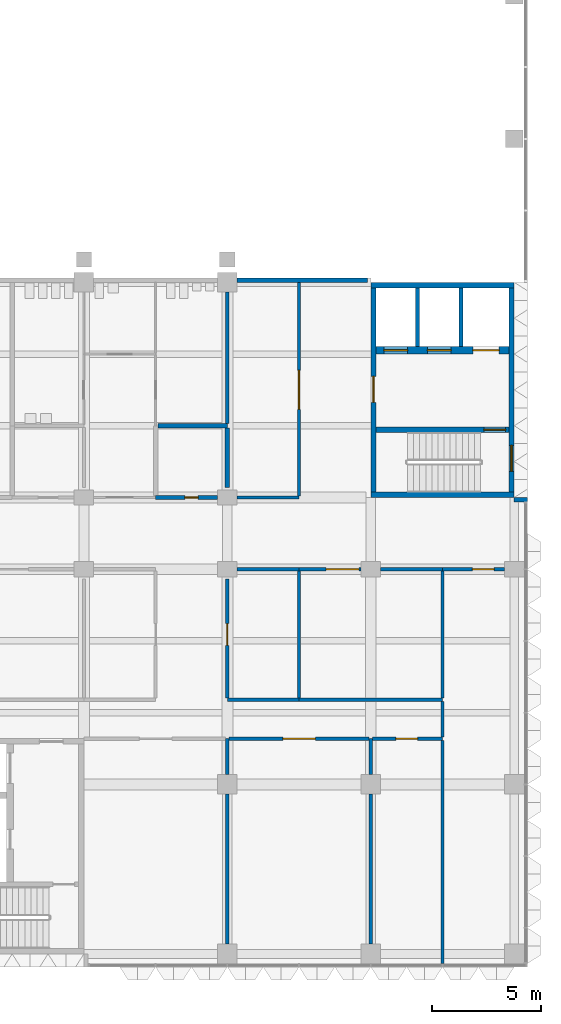
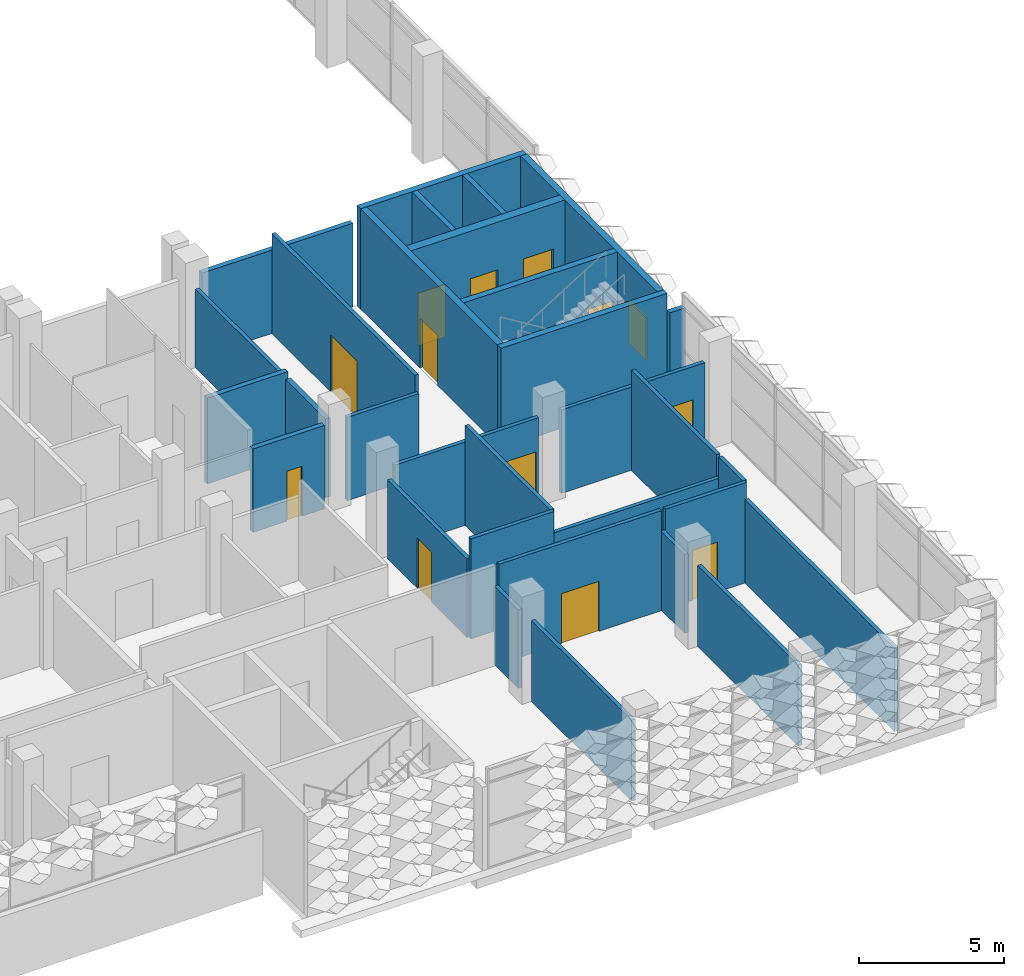
# One storey, part 46 of 102: 33 walls, 12 doors, 1 window, 13 openings.
"""IFC4 building model written with IfcOpenShell, lengths in metres."""

from ifc_helpers import new_model, si_unit, direction, frame, frame_2d, origin, place, context, subcontext, project, spatial, rectangle, extrude, material, layer, layer_set, type_object, element, fill, save


model = new_model("IFC4")

# Units and contexts
model_context = context("Model", 3, precision=1e-05, world=origin(), true_north=direction((0.0, 1.0)))
body_context = subcontext(model_context, "Body", "Model", "MODEL_VIEW")
ifc_project = project(units=[si_unit("LENGTHUNIT", "METRE"), si_unit("AREAUNIT", "SQUARE_METRE"), si_unit("VOLUMEUNIT", "CUBIC_METRE"), si_unit("PLANEANGLEUNIT", "RADIAN"), si_unit("MASSUNIT", "GRAM", prefix="KILO")], contexts=[model_context])

# Site, building, storey
site_placement = place(None, origin())
site = spatial("IfcSite", under=ifc_project, at=site_placement, CompositionType="ELEMENT")
building_placement = place(site_placement, origin())
building = spatial("IfcBuilding", under=site, at=building_placement, Name="Lantern Court Research Institute", CompositionType="ELEMENT")
storey_placement = place(building_placement, frame((0.0, 0.0, 9.89990234375)))
storey = spatial("IfcBuildingStorey", under=building, at=storey_placement, Name="L02", CompositionType="ELEMENT", Elevation=9.89990234375)

# Wall, opening, door
ifc_material_1 = material(Name="Fire-rated gypsum board partition, mineral wool filled")
ifc_layer_1 = layer(ifc_material_1, 0.199951171875)
ifc_layer_set_1 = layer_set([ifc_layer_1], Name="Fire-rated gypsum board partition, mineral wool filled")
wall_type_1 = type_object("IfcWallType", Name="Compartment wall 200 EI 120", PredefinedType="PARTITIONING", material=ifc_layer_set_1)
wall_1_placement = place(storey_placement, frame((62.699951171875, 13.199951171875, 0.0), z_axis=(0.0, 0.0, 1.0), x_axis=(1.0, 0.0, 0.0)))
wall_1 = element("IfcWall", 1, at=wall_1_placement, inside=storey, type_object=wall_type_1, Name="Compartment wall 200 EI 120", PredefinedType="PARTITIONING", context=body_context, shape_type="SweptSolid", body=[
    extrude(rectangle(XDim=2.85009765625, YDim=0.199951171875, at=frame_2d((1.425048828125, 0.0))), origin(), (0.0, 0.0, 1.0), 3.5),
])
opening_1_placement = place(wall_1_placement, frame((1.35009765625, 0.0, 0.0)))
opening_1 = element("IfcOpeningElement", 2, at=opening_1_placement, cuts=wall_1, Name="Opening D5206", PredefinedType="OPENING", context=body_context, shape_type="SweptSolid", body=[
    extrude(rectangle(XDim=0.60009765625, YDim=2.10009765625, at=frame_2d((0.300048828125, 1.050048828125))), frame((0.0, 0.10986328125, 0.0), z_axis=(0.0, -1.0, 0.0), x_axis=(1.0, 0.0, 0.0)), (0.0, 0.0, 1.0), 0.219970703125),
])
ifc_material_2 = material(Name="Solid-core timber door leaf", Category="wood")
ifc_layer_2 = layer(ifc_material_2, 0.06005859375)
ifc_layer_set_2 = layer_set([ifc_layer_2], Name="Solid-core timber door leaf")
door_type_1 = type_object("IfcDoorType", Name="Service riser door 600 x 2100 single FD60", OperationType="NOTDEFINED", PredefinedType="DOOR", material=ifc_layer_set_2)
door_1_placement = place(opening_1_placement, origin())
door_1 = element("IfcDoor", 3, at=door_1_placement, inside=storey, type_object=door_type_1, Name="Door D5206", OperationType="SINGLE_SWING_RIGHT", OverallHeight=2.10009765625, OverallWidth=0.60009765625, PredefinedType="DOOR", context=body_context, shape_type="SweptSolid", body=[
    extrude(rectangle(XDim=0.60009765625, YDim=2.10009765625, at=frame_2d((0.300048828125, 1.050048828125))), frame((0.0, 0.030029296875, 0.0), z_axis=(0.0, -1.0, 0.0), x_axis=(1.0, 0.0, 0.0)), (0.0, 0.0, 1.0), 0.06005859375),
])
fill(opening_1, door_1)

# Walls
wall_2_placement = place(storey_placement, frame((66.0, 16.5, 0.0), z_axis=(0.0, 0.0, 1.0), x_axis=(-1.0, 0.0, 0.0)))
element("IfcWall", 4, at=wall_2_placement, inside=storey, type_object=wall_type_1, Name="Compartment wall 200 EI 120", PredefinedType="PARTITIONING", context=body_context, shape_type="SweptSolid", body=[
    extrude(rectangle(XDim=3.199951171875, YDim=0.199951171875, at=frame_2d((1.60009765625, 0.0))), origin(), (0.0, 0.0, 1.0), 3.60009765625),
])
wall_3_placement = place(storey_placement, frame((66.0, 13.64990234375, 0.0), z_axis=(0.0, 0.0, 1.0), x_axis=(0.0, 1.0, 0.0)))
element("IfcWall", 5, at=wall_3_placement, inside=storey, type_object=wall_type_1, Name="Compartment wall 200 EI 120", PredefinedType="PARTITIONING", context=body_context, shape_type="SweptSolid", body=[
    extrude(rectangle(XDim=2.75, YDim=0.199951171875, at=frame_2d((1.375, 0.0))), origin(), (0.0, 0.0, 1.0), 3.300048828125),
])
ifc_material_3 = material(Name="Fire-rated gypsum board partition, mineral wool filled")
ifc_layer_3 = layer(ifc_material_3, 0.14990234375)
ifc_layer_set_3 = layer_set([ifc_layer_3], Name="Fire-rated gypsum board partition, mineral wool filled")
wall_type_2 = type_object("IfcWallType", Name="Laboratory partition 150 EI 60", PredefinedType="PARTITIONING", material=ifc_layer_set_3)
for number, where, z_axis, x_axis, name in (
    (6, (69.300048828125, 13.199951171875, 0.0), (0.0, 0.0, 1.0), (-1.0, 0.0, 0.0), "Laboratory partition 150 EI 60"),
    (7, (66.449951171875, 9.89990234375, 0.0), (0.0, 0.0, 1.0), (1.0, 0.0, 0.0), "Laboratory partition 150 EI 60"),
):
    element("IfcWall", number, at=place(storey_placement, frame(where, z_axis=z_axis, x_axis=x_axis)), inside=storey, type_object=wall_type_2, Name=name, PredefinedType="PARTITIONING", context=body_context, shape_type="SweptSolid", body=[
        extrude(rectangle(XDim=2.85009765625, YDim=0.14990234375, at=frame_2d((1.425048828125, 0.0))), origin(), (0.0, 0.0, 1.0), 3.5),
    ])

# Wall, opening, door
wall_4_placement = place(storey_placement, frame((69.300048828125, 9.89990234375, 0.0), z_axis=(0.0, 0.0, 1.0), x_axis=(1.0, 0.0, 0.0)))
wall_4 = element("IfcWall", 8, at=wall_4_placement, inside=storey, type_object=wall_type_2, Name="Laboratory partition 150 EI 60", PredefinedType="PARTITIONING", context=body_context, shape_type="SweptSolid", body=[
    extrude(rectangle(XDim=2.849853515625, YDim=0.14990234375, at=frame_2d((1.4248046875, 0.0))), origin(), (0.0, 0.0, 1.0), 3.5),
])
opening_2_placement = place(wall_4_placement, frame((1.25, 0.0, 0.0)))
opening_2 = element("IfcOpeningElement", 9, at=opening_2_placement, cuts=wall_4, Name="Opening D5215", PredefinedType="OPENING", context=body_context, shape_type="SweptSolid", body=[
    extrude(rectangle(XDim=1.5, YDim=2.10009765625, at=frame_2d((0.75, 1.050048828125))), frame((0.0, 0.0849609375, 0.0), z_axis=(0.0, -1.0, 0.0), x_axis=(1.0, 0.0, 0.0)), (0.0, 0.0, 1.0), 0.169921875),
])
ifc_material_4 = material(Name="Solid-core timber door leaf with vision panel", Category="wood")
ifc_layer_4 = layer(ifc_material_4, 0.053955078125)
ifc_layer_set_4 = layer_set([ifc_layer_4], Name="Solid-core timber door leaf with vision panel")
door_type_2 = type_object("IfcDoorType", Name="Laboratory double door 1500 x 2100 pair FD30S", OperationType="DOUBLE_DOOR_SINGLE_SWING", PredefinedType="DOOR", material=ifc_layer_set_4)
door_2_placement = place(opening_2_placement, origin())
door_2 = element("IfcDoor", 10, at=door_2_placement, inside=storey, type_object=door_type_2, Name="Door D5215", OperationType="DOUBLE_DOOR_SINGLE_SWING", OverallHeight=2.10009765625, OverallWidth=1.5, PredefinedType="DOOR", context=body_context, shape_type="SweptSolid", body=[
    extrude(rectangle(XDim=1.5, YDim=2.10009765625, at=frame_2d((0.75, 1.050048828125))), frame((0.0, 0.02685546875, 0.0), z_axis=(0.0, -1.0, 0.0), x_axis=(1.0, 0.0, 0.0)), (0.0, 0.0, 1.0), 0.053955078125),
])
fill(opening_2, door_2)

# Wall
wall_5_placement = place(storey_placement, frame((73.050048828125, 9.89990234375, 0.0), z_axis=(0.0, 0.0, 1.0), x_axis=(1.0, 0.0, 0.0)))
element("IfcWall", 11, at=wall_5_placement, inside=storey, type_object=wall_type_2, Name="Laboratory partition 150 EI 60", PredefinedType="PARTITIONING", context=body_context, shape_type="SweptSolid", body=[
    extrude(rectangle(XDim=2.849853515625, YDim=0.14990234375, at=frame_2d((1.4248046875, 0.0))), origin(), (0.0, 0.0, 1.0), 3.5),
])

# Wall, opening, door
wall_6_placement = place(storey_placement, frame((75.89990234375, 9.89990234375, 0.0), z_axis=(0.0, 0.0, 1.0), x_axis=(1.0, 0.0, 0.0)))
wall_6 = element("IfcWall", 12, at=wall_6_placement, inside=storey, type_object=wall_type_2, Name="Laboratory partition 150 EI 60", PredefinedType="PARTITIONING", context=body_context, shape_type="SweptSolid", body=[
    extrude(rectangle(XDim=2.85009765625, YDim=0.14990234375, at=frame_2d((1.425048828125, 0.0))), origin(), (0.0, 0.0, 1.0), 3.5),
])
opening_3_placement = place(wall_6_placement, frame((1.375, 0.0, 0.0)))
opening_3 = element("IfcOpeningElement", 13, at=opening_3_placement, cuts=wall_6, Name="Opening D5216", PredefinedType="OPENING", context=body_context, shape_type="SweptSolid", body=[
    extrude(rectangle(XDim=1.0, YDim=2.10009765625, at=frame_2d((0.5, 1.050048828125))), frame((0.0, 0.0849609375, 0.0), z_axis=(0.0, -1.0, 0.0), x_axis=(1.0, 0.0, 0.0)), (0.0, 0.0, 1.0), 0.169921875),
])
ifc_material_5 = material(Name="Solid-core timber door leaf with vision panel", Category="wood")
ifc_layer_5 = layer(ifc_material_5, 0.053955078125)
ifc_layer_set_5 = layer_set([ifc_layer_5], Name="Solid-core timber door leaf with vision panel")
door_type_3 = type_object("IfcDoorType", Name="Laboratory door 1000 x 2100 single FD30S", OperationType="NOTDEFINED", PredefinedType="DOOR", material=ifc_layer_set_5)
door_3_placement = place(opening_3_placement, origin())
door_3 = element("IfcDoor", 14, at=door_3_placement, inside=storey, type_object=door_type_3, Name="Door D5216", OperationType="SINGLE_SWING_LEFT", OverallHeight=2.10009765625, OverallWidth=1.0, PredefinedType="DOOR", context=body_context, shape_type="SweptSolid", body=[
    extrude(rectangle(XDim=1.0, YDim=2.10009765625, at=frame_2d((0.5, 1.050048828125))), frame((0.0, 0.02685546875, 0.0), z_axis=(0.0, -1.0, 0.0), x_axis=(1.0, 0.0, 0.0)), (0.0, 0.0, 1.0), 0.053955078125),
])
fill(opening_3, door_3)

# Wall
wall_7_placement = place(storey_placement, frame((66.0, 16.60009765625, 0.0), z_axis=(0.0, 0.0, 1.0), x_axis=(0.0, 1.0, 0.0)))
element("IfcWall", 15, at=wall_7_placement, inside=storey, type_object=wall_type_2, Name="Laboratory partition 150 EI 60", PredefinedType="PARTITIONING", context=body_context, shape_type="SweptSolid", body=[
    extrude(rectangle(XDim=6.0498046875, YDim=0.14990234375, at=frame_2d((3.02490234375, 0.0))), origin(), (0.0, 0.0, 1.0), 3.300048828125),
])

# Wall, opening, door
wall_8_placement = place(storey_placement, frame((69.300048828125, 23.10009765625, 0.0), z_axis=(0.0, 0.0, 1.0), x_axis=(0.0, -1.0, 0.0)))
wall_8 = element("IfcWall", 16, at=wall_8_placement, inside=storey, type_object=wall_type_2, Name="Laboratory partition 150 EI 60", PredefinedType="PARTITIONING", context=body_context, shape_type="SweptSolid", body=[
    extrude(rectangle(XDim=9.8251953125, YDim=0.14990234375, at=frame_2d((4.91259765625, 0.0))), origin(), (0.0, 0.0, 1.0), 4.2001953125),
])
opening_4_placement = place(wall_8_placement, frame((4.050048828125, 0.0, 0.0)))
opening_4 = element("IfcOpeningElement", 17, at=opening_4_placement, cuts=wall_8, Name="Opening D5208", PredefinedType="OPENING", context=body_context, shape_type="SweptSolid", body=[
    extrude(rectangle(XDim=1.800048828125, YDim=2.39990234375, at=frame_2d((0.89990234375, 1.199951171875))), frame((0.0, 0.0849609375, 0.0), z_axis=(0.0, -1.0, 0.0), x_axis=(1.0, 0.0, 0.0)), (0.0, 0.0, 1.0), 0.169921875),
])
ifc_material_6 = material(Name="Solid-core timber door leaf with vision panel", Category="wood")
ifc_layer_6 = layer(ifc_material_6, 0.053955078125)
ifc_layer_set_6 = layer_set([ifc_layer_6], Name="Solid-core timber door leaf with vision panel")
door_type_4 = type_object("IfcDoorType", Name="Laboratory equipment door 1800 x 2400 pair FD30S", OperationType="DOUBLE_DOOR_SINGLE_SWING", PredefinedType="DOOR", material=ifc_layer_set_6)
door_4_placement = place(opening_4_placement, origin())
door_4 = element("IfcDoor", 18, at=door_4_placement, inside=storey, type_object=door_type_4, Name="Door D5208", OperationType="DOUBLE_DOOR_SINGLE_SWING", OverallHeight=2.39990234375, OverallWidth=1.800048828125, PredefinedType="DOOR", context=body_context, shape_type="SweptSolid", body=[
    extrude(rectangle(XDim=1.800048828125, YDim=2.39990234375, at=frame_2d((0.89990234375, 1.199951171875))), frame((0.0, 0.02685546875, 0.0), z_axis=(0.0, -1.0, 0.0), x_axis=(1.0, 0.0, 0.0)), (0.0, 0.0, 1.0), 0.053955078125),
])
fill(opening_4, door_4)

# Walls
wall_9_placement = place(storey_placement, frame((66.0, -7.35009765625, 0.0), z_axis=(0.0, 0.0, 1.0), x_axis=(0.0, 1.0, 0.0)))
element("IfcWall", 19, at=wall_9_placement, inside=storey, type_object=wall_type_2, Name="Laboratory partition 150 EI 60", PredefinedType="PARTITIONING", context=body_context, shape_type="SweptSolid", body=[
    extrude(rectangle(XDim=6.900146484375, YDim=0.14990234375, at=frame_2d((3.4501953125, 0.0))), origin(), (0.0, 0.0, 1.0), 3.400146484375),
])
wall_10_placement = place(storey_placement, frame((66.0, 0.449951171875, 0.0), z_axis=(0.0, 0.0, 1.0), x_axis=(0.0, 1.0, 0.0)))
element("IfcWall", 20, at=wall_10_placement, inside=storey, type_object=wall_type_2, Name="Laboratory partition 150 EI 60", PredefinedType="PARTITIONING", context=body_context, shape_type="SweptSolid", body=[
    extrude(rectangle(XDim=1.650146484375, YDim=0.14990234375, at=frame_2d((0.8251953125, 0.0))), origin(), (0.0, 0.0, 1.0), 3.300048828125),
])
wall_11_placement = place(storey_placement, frame((72.60009765625, -7.35009765625, 0.0), z_axis=(0.0, 0.0, 1.0), x_axis=(0.0, 1.0, 0.0)))
element("IfcWall", 21, at=wall_11_placement, inside=storey, type_object=wall_type_2, Name="Laboratory partition 150 EI 60", PredefinedType="PARTITIONING", context=body_context, shape_type="SweptSolid", body=[
    extrude(rectangle(XDim=6.900146484375, YDim=0.14990234375, at=frame_2d((3.4501953125, 0.0))), origin(), (0.0, 0.0, 1.0), 3.400146484375),
])
wall_12_placement = place(storey_placement, frame((72.60009765625, 0.449951171875, 0.0), z_axis=(0.0, 0.0, 1.0), x_axis=(0.0, 1.0, 0.0)))
element("IfcWall", 22, at=wall_12_placement, inside=storey, type_object=wall_type_2, Name="Laboratory partition 150 EI 60", PredefinedType="PARTITIONING", context=body_context, shape_type="SweptSolid", body=[
    extrude(rectangle(XDim=1.650146484375, YDim=0.14990234375, at=frame_2d((0.8251953125, 0.0))), origin(), (0.0, 0.0, 1.0), 3.300048828125),
])

# Wall, opening, door
wall_13_placement = place(storey_placement, frame((72.52490234375, 2.10009765625, 0.0), z_axis=(0.0, 0.0, 1.0), x_axis=(-1.0, 0.0, 0.0)))
wall_13 = element("IfcWall", 23, at=wall_13_placement, inside=storey, type_object=wall_type_2, Name="Laboratory partition 150 EI 60", PredefinedType="PARTITIONING", context=body_context, shape_type="SweptSolid", body=[
    extrude(rectangle(XDim=6.449951171875, YDim=0.14990234375, at=frame_2d((3.22509765625, 0.0))), origin(), (0.0, 0.0, 1.0), 4.2001953125),
])
opening_5_placement = place(wall_13_placement, frame((2.47509765625, 0.0, 0.0)))
opening_5 = element("IfcOpeningElement", 24, at=opening_5_placement, cuts=wall_13, Name="Opening D5210", PredefinedType="OPENING", context=body_context, shape_type="SweptSolid", body=[
    extrude(rectangle(XDim=1.5, YDim=2.10009765625, at=frame_2d((0.75, 1.050048828125))), frame((0.0, 0.0849609375, 0.0), z_axis=(0.0, -1.0, 0.0), x_axis=(1.0, 0.0, 0.0)), (0.0, 0.0, 1.0), 0.169921875),
])
door_5_placement = place(opening_5_placement, origin())
door_5 = element("IfcDoor", 25, at=door_5_placement, inside=storey, type_object=door_type_2, Name="Door D5210", OperationType="DOUBLE_DOOR_SINGLE_SWING", OverallHeight=2.10009765625, OverallWidth=1.5, PredefinedType="DOOR", context=body_context, shape_type="SweptSolid", body=[
    extrude(rectangle(XDim=1.5, YDim=2.10009765625, at=frame_2d((0.75, 1.050048828125))), frame((0.0, 0.02685546875, 0.0), z_axis=(0.0, -1.0, 0.0), x_axis=(1.0, 0.0, 0.0)), (0.0, 0.0, 1.0), 0.053955078125),
])
fill(opening_5, door_5)

wall_14_placement = place(storey_placement, frame((75.89990234375, 2.10009765625, 0.0), z_axis=(0.0, 0.0, 1.0), x_axis=(-1.0, 0.0, 0.0)))
wall_14 = element("IfcWall", 26, at=wall_14_placement, inside=storey, type_object=wall_type_2, Name="Laboratory partition 150 EI 60", PredefinedType="PARTITIONING", context=body_context, shape_type="SweptSolid", body=[
    extrude(rectangle(XDim=3.224853515625, YDim=0.14990234375, at=frame_2d((1.6123046875, 0.0))), origin(), (0.0, 0.0, 1.0), 4.2001953125),
])
opening_6_placement = place(wall_14_placement, frame((1.14990234375, 0.0, 0.0)))
opening_6 = element("IfcOpeningElement", 27, at=opening_6_placement, cuts=wall_14, Name="Opening D5211", PredefinedType="OPENING", context=body_context, shape_type="SweptSolid", body=[
    extrude(rectangle(XDim=1.0, YDim=2.10009765625, at=frame_2d((0.5, 1.050048828125))), frame((0.0, 0.0849609375, 0.0), z_axis=(0.0, -1.0, 0.0), x_axis=(1.0, 0.0, 0.0)), (0.0, 0.0, 1.0), 0.169921875),
])
door_6_placement = place(opening_6_placement, origin())
door_6 = element("IfcDoor", 28, at=door_6_placement, inside=storey, type_object=door_type_3, Name="Door D5211", OperationType="SINGLE_SWING_LEFT", OverallHeight=2.10009765625, OverallWidth=1.0, PredefinedType="DOOR", context=body_context, shape_type="SweptSolid", body=[
    extrude(rectangle(XDim=1.0, YDim=2.10009765625, at=frame_2d((0.5, 1.050048828125))), frame((0.0, 0.02685546875, 0.0), z_axis=(0.0, -1.0, 0.0), x_axis=(1.0, 0.0, 0.0)), (0.0, 0.0, 1.0), 0.053955078125),
])
fill(opening_6, door_6)

# Walls
wall_15_placement = place(storey_placement, frame((75.89990234375, -8.25, 0.0), z_axis=(0.0, 0.0, 1.0), x_axis=(0.0, 1.0, 0.0)))
element("IfcWall", 29, at=wall_15_placement, inside=storey, type_object=wall_type_2, Name="Laboratory partition 150 EI 60", PredefinedType="PARTITIONING", context=body_context, shape_type="SweptSolid", body=[
    extrude(rectangle(XDim=10.27490234375, YDim=0.14990234375, at=frame_2d((5.137451171875, 0.0))), origin(), (0.0, 0.0, 1.0), 3.5),
])
wall_16_placement = place(storey_placement, frame((69.300048828125, 3.89990234375, 0.0), z_axis=(0.0, 0.0, 1.0), x_axis=(-1.0, 0.0, 0.0)))
element("IfcWall", 30, at=wall_16_placement, inside=storey, type_object=wall_type_2, Name="Laboratory partition 150 EI 60", PredefinedType="PARTITIONING", context=body_context, shape_type="SweptSolid", body=[
    extrude(rectangle(XDim=3.300048828125, YDim=0.14990234375, at=frame_2d((1.64990234375, 0.0))), origin(), (0.0, 0.0, 1.0), 4.2001953125),
])
wall_17_placement = place(storey_placement, frame((75.89990234375, 3.89990234375, 0.0), z_axis=(0.0, 0.0, 1.0), x_axis=(-1.0, 0.0, 0.0)))
element("IfcWall", 31, at=wall_17_placement, inside=storey, type_object=wall_type_2, Name="Laboratory partition 150 EI 60", PredefinedType="PARTITIONING", context=body_context, shape_type="SweptSolid", body=[
    extrude(rectangle(XDim=6.599853515625, YDim=0.14990234375, at=frame_2d((3.2998046875, 0.0))), origin(), (0.0, 0.0, 1.0), 3.300048828125),
])
wall_18_placement = place(storey_placement, frame((75.89990234375, 2.175048828125, 0.0), z_axis=(0.0, 0.0, 1.0), x_axis=(0.0, 1.0, 0.0)))
element("IfcWall", 32, at=wall_18_placement, inside=storey, type_object=wall_type_2, Name="Laboratory partition 150 EI 60", PredefinedType="PARTITIONING", context=body_context, shape_type="SweptSolid", body=[
    extrude(rectangle(XDim=1.64990234375, YDim=0.14990234375, at=frame_2d((0.824951171875, 0.0))), origin(), (0.0, 0.0, 1.0), 4.2001953125),
])

# Wall, opening, door
wall_19_placement = place(storey_placement, frame((66.0, 3.97509765625, 0.0), z_axis=(0.0, 0.0, 1.0), x_axis=(0.0, 1.0, 0.0)))
wall_19 = element("IfcWall", 33, at=wall_19_placement, inside=storey, type_object=wall_type_2, Name="Laboratory partition 150 EI 60", PredefinedType="PARTITIONING", context=body_context, shape_type="SweptSolid", body=[
    extrude(rectangle(XDim=5.474853515625, YDim=0.14990234375, at=frame_2d((2.7373046875, 0.0))), origin(), (0.0, 0.0, 1.0), 3.300048828125),
])
opening_7_placement = place(wall_19_placement, frame((2.425048828125, 0.0, 0.0)))
opening_7 = element("IfcOpeningElement", 34, at=opening_7_placement, cuts=wall_19, Name="Opening D5214", PredefinedType="OPENING", context=body_context, shape_type="SweptSolid", body=[
    extrude(rectangle(XDim=1.0, YDim=2.10009765625, at=frame_2d((0.5, 1.050048828125))), frame((0.0, 0.0849609375, 0.0), z_axis=(0.0, -1.0, 0.0), x_axis=(1.0, 0.0, 0.0)), (0.0, 0.0, 1.0), 0.169921875),
])
door_7_placement = place(opening_7_placement, origin())
door_7 = element("IfcDoor", 35, at=door_7_placement, inside=storey, type_object=door_type_3, Name="Door D5214", OperationType="SINGLE_SWING_LEFT", OverallHeight=2.10009765625, OverallWidth=1.0, PredefinedType="DOOR", context=body_context, shape_type="SweptSolid", body=[
    extrude(rectangle(XDim=1.0, YDim=2.10009765625, at=frame_2d((0.5, 1.050048828125))), frame((0.0, 0.02685546875, 0.0), z_axis=(0.0, -1.0, 0.0), x_axis=(1.0, 0.0, 0.0)), (0.0, 0.0, 1.0), 0.053955078125),
])
fill(opening_7, door_7)

# Walls
for number, where, z_axis, x_axis, name in (
    (36, (69.300048828125, 3.97509765625, 0.0), (0.0, 0.0, 1.0), (0.0, 1.0, 0.0), "Laboratory partition 150 EI 60"),
    (37, (75.89990234375, 3.97509765625, 0.0), (0.0, 0.0, 1.0), (0.0, 1.0, 0.0), "Laboratory partition 150 EI 60"),
):
    element("IfcWall", number, at=place(storey_placement, frame(where, z_axis=z_axis, x_axis=x_axis)), inside=storey, type_object=wall_type_2, Name=name, PredefinedType="PARTITIONING", context=body_context, shape_type="SweptSolid", body=[
        extrude(rectangle(XDim=5.849853515625, YDim=0.14990234375, at=frame_2d((2.9248046875, 0.0))), origin(), (0.0, 0.0, 1.0), 4.2001953125),
    ])
ifc_material_7 = material(Name="Fire-rated blockwork", Category="masonry")
ifc_layer_7 = layer(ifc_material_7, 0.199951171875)
ifc_layer_set_7 = layer_set([ifc_layer_7], Name="Fire-rated blockwork")
wall_type_3 = type_object("IfcWallType", Name="Party wall 200 mm EI 120", PredefinedType="PARTITIONING", material=ifc_layer_set_7)
wall_20_placement = place(storey_placement, frame((66.449951171875, 23.199951171875, 0.0), z_axis=(0.0, 0.0, 1.0), x_axis=(1.0, 0.0, 0.0)))
element("IfcWall", 38, at=wall_20_placement, inside=storey, type_object=wall_type_3, Name="Wall V2-L02-005", PredefinedType="PARTITIONING", context=body_context, shape_type="SweptSolid", body=[
    extrude(rectangle(XDim=6.0, YDim=0.199951171875, at=frame_2d((3.0, 0.0))), origin(), (0.0, 0.0, 1.0), 3.5),
])
ifc_material_8 = material(Name="Concrete C40/50", Category="concrete")
ifc_layer_8 = layer(ifc_material_8, 0.25)
ifc_layer_set_8 = layer_set([ifc_layer_8], Name="Concrete C40/50")
wall_type_4 = type_object("IfcWallType", Name="RC core wall 250", PredefinedType="SHEAR", material=ifc_layer_set_8)
wall_21_placement = place(storey_placement, frame((72.60009765625, 13.324951171875, 0.0), z_axis=(0.0, 0.0, 1.0), x_axis=(1.0, 0.0, 0.0)))
element("IfcWall", 39, at=wall_21_placement, inside=storey, type_object=wall_type_4, Name="South wall of core TC-E", PredefinedType="SHEAR", context=body_context, shape_type="SweptSolid", body=[
    extrude(rectangle(XDim=6.599853515625, YDim=0.25, at=frame_2d((3.2998046875, 0.0))), origin(), (0.0, 0.0, 1.0), 4.2001953125),
])

# Wall, opening, door
wall_22_placement = place(storey_placement, frame((72.72509765625, 13.449951171875, 0.0), z_axis=(0.0, 0.0, 1.0), x_axis=(0.0, 1.0, 0.0)))
wall_22 = element("IfcWall", 40, at=wall_22_placement, inside=storey, type_object=wall_type_4, Name="West wall of core TC-E", PredefinedType="SHEAR", context=body_context, shape_type="SweptSolid", body=[
    extrude(rectangle(XDim=9.400146484375, YDim=0.25, at=frame_2d((4.7001953125, 0.0))), origin(), (0.0, 0.0, 1.0), 4.2001953125),
])
opening_8_placement = place(wall_22_placement, frame((4.125, 0.0, 0.0)))
opening_8 = element("IfcOpeningElement", 41, at=opening_8_placement, cuts=wall_22, Name="Opening D7157", PredefinedType="OPENING", context=body_context, shape_type="SweptSolid", body=[
    extrude(rectangle(XDim=1.199951171875, YDim=2.10009765625, at=frame_2d((0.60009765625, 1.050048828125))), frame((0.0, 0.135009765625, 0.0), z_axis=(0.0, -1.0, 0.0), x_axis=(1.0, 0.0, 0.0)), (0.0, 0.0, 1.0), 0.27001953125),
])
ifc_material_9 = material(Name="Steel fire door leaf with smoke seals", Category="steel")
door_type_5 = type_object("IfcDoorType", Name="Door 1200 x 2100 fire rated FD60S", OperationType="NOTDEFINED", PredefinedType="DOOR", material=ifc_material_9)
door_8_placement = place(opening_8_placement, origin())
door_8 = element("IfcDoor", 42, at=door_8_placement, inside=storey, type_object=door_type_5, Name="Lobby door", OperationType="SINGLE_SWING_LEFT", OverallHeight=2.10009765625, OverallWidth=1.199951171875, PredefinedType="DOOR", context=body_context, shape_type="SweptSolid", body=[
    extrude(rectangle(XDim=1.199951171875, YDim=2.10009765625, at=frame_2d((0.60009765625, 1.050048828125))), frame((0.0, 0.02490234375, 0.0), z_axis=(0.0, -1.0, 0.0), x_axis=(1.0, 0.0, 0.0)), (0.0, 0.0, 1.0), 0.050048828125),
])
fill(opening_8, door_8)

# Wall
ifc_material_10 = material(Name="Concrete C40/50", Category="concrete")
ifc_layer_9 = layer(ifc_material_10, 0.25)
ifc_layer_set_9 = layer_set([ifc_layer_9], Name="Concrete C40/50")
wall_type_5 = type_object("IfcWallType", Name="RC core wall 250 facade", PredefinedType="SHEAR", material=ifc_layer_set_9)
wall_23_placement = place(storey_placement, frame((72.60009765625, 22.97509765625, 0.0), z_axis=(0.0, 0.0, 1.0), x_axis=(1.0, 0.0, 0.0)))
element("IfcWall", 43, at=wall_23_placement, inside=storey, type_object=wall_type_5, Name="North wall of core TC-E", PredefinedType="SHEAR", context=body_context, shape_type="SweptSolid", body=[
    extrude(rectangle(XDim=6.599853515625, YDim=0.25, at=frame_2d((3.2998046875, 0.0))), origin(), (0.0, 0.0, 1.0), 4.2001953125),
])

# Wall, opening, window
wall_24_placement = place(storey_placement, frame((79.074951171875, 13.449951171875, 0.0), z_axis=(0.0, 0.0, 1.0), x_axis=(0.0, 1.0, 0.0)))
wall_24 = element("IfcWall", 44, at=wall_24_placement, inside=storey, type_object=wall_type_5, Name="East wall of core TC-E", PredefinedType="SHEAR", context=body_context, shape_type="SweptSolid", body=[
    extrude(rectangle(XDim=9.400146484375, YDim=0.25, at=frame_2d((4.7001953125, 0.0))), origin(), (0.0, 0.0, 1.0), 4.2001953125),
])
opening_9_placement = place(wall_24_placement, frame((0.949951171875, 0.0, 0.699951171875)))
opening_9 = element("IfcOpeningElement", 45, at=opening_9_placement, cuts=wall_24, Name="Opening W7", PredefinedType="OPENING", context=body_context, shape_type="SweptSolid", body=[
    extrude(rectangle(XDim=1.199951171875, YDim=1.800048828125, at=frame_2d((0.60009765625, 0.89990234375))), frame((0.0, 0.135009765625, 0.0), z_axis=(0.0, -1.0, 0.0), x_axis=(1.0, 0.0, 0.0)), (0.0, 0.0, 1.0), 0.27001953125),
])
ifc_material_11 = material(Name="Aluminium alloy 6063-T6 frame with laminated glass", Category="aluminium")
window_type = type_object("IfcWindowType", Name="Stair window 1200 x 1800", PartitioningType="SINGLE_PANEL", PredefinedType="WINDOW", material=ifc_material_11)
window_placement = place(opening_9_placement, origin())
window = element("IfcWindow", 46, at=window_placement, inside=storey, type_object=window_type, Name="Stair window", OverallHeight=1.800048828125, OverallWidth=1.199951171875, PartitioningType="SINGLE_PANEL", PredefinedType="WINDOW", context=body_context, shape_type="SweptSolid", body=[
    extrude(rectangle(XDim=1.199951171875, YDim=1.800048828125, at=frame_2d((0.60009765625, 0.89990234375))), frame((0.0, 0.030029296875, 0.0), z_axis=(0.0, -1.0, 0.0), x_axis=(1.0, 0.0, 0.0)), (0.0, 0.0, 1.0), 0.06005859375),
])
fill(opening_9, window)

# Walls
ifc_material_12 = material(Name="Concrete C40/50", Category="concrete")
ifc_layer_10 = layer(ifc_material_12, 0.199951171875)
ifc_layer_set_10 = layer_set([ifc_layer_10], Name="Concrete C40/50")
wall_type_6 = type_object("IfcWallType", Name="RC shaft wall 200", PredefinedType="SHEAR", material=ifc_layer_set_10)
for number, where, z_axis, x_axis, name in (
    (47, (74.75, 20.14990234375, 0.0), (0.0, 0.0, 1.0), (0.0, 1.0, 0.0), "Lift shaft wall of core TC-E"),
    (48, (76.75, 20.14990234375, 0.0), (0.0, 0.0, 1.0), (0.0, 1.0, 0.0), "Lift shaft wall of core TC-E"),
):
    element("IfcWall", number, at=place(storey_placement, frame(where, z_axis=z_axis, x_axis=x_axis)), inside=storey, type_object=wall_type_6, Name=name, PredefinedType="SHEAR", context=body_context, shape_type="SweptSolid", body=[
        extrude(rectangle(XDim=2.7001953125, YDim=0.199951171875, at=frame_2d((1.35009765625, 0.0))), origin(), (0.0, 0.0, 1.0), 4.2001953125),
    ])

# Wall, opening, door
ifc_material_13 = material(Name="Concrete C40/50", Category="concrete")
ifc_layer_11 = layer(ifc_material_13, 0.25)
ifc_layer_set_11 = layer_set([ifc_layer_11], Name="Concrete C40/50")
wall_type_7 = type_object("IfcWallType", Name="RC shaft wall 250", PredefinedType="SHEAR", material=ifc_layer_set_11)
wall_25_placement = place(storey_placement, frame((72.85009765625, 16.324951171875, 0.0), z_axis=(0.0, 0.0, 1.0), x_axis=(1.0, 0.0, 0.0)))
wall_25 = element("IfcWall", 49, at=wall_25_placement, inside=storey, type_object=wall_type_7, Name="Stair wall of core TC-E", PredefinedType="SHEAR", context=body_context, shape_type="SweptSolid", body=[
    extrude(rectangle(XDim=6.099853515625, YDim=0.25, at=frame_2d((3.0498046875, 0.0))), origin(), (0.0, 0.0, 1.0), 4.2001953125),
])
opening_10_placement = place(wall_25_placement, frame((4.949951171875, 0.0, 0.0)))
opening_10 = element("IfcOpeningElement", 50, at=opening_10_placement, cuts=wall_25, Name="Opening D7158", PredefinedType="OPENING", context=body_context, shape_type="SweptSolid", body=[
    extrude(rectangle(XDim=1.0, YDim=2.199951171875, at=frame_2d((0.5, 1.10009765625))), frame((0.0, 0.135009765625, 0.0), z_axis=(0.0, -1.0, 0.0), x_axis=(1.0, 0.0, 0.0)), (0.0, 0.0, 1.0), 0.27001953125),
])
ifc_material_14 = material(Name="Steel fire door leaf with smoke seals", Category="steel")
door_type_6 = type_object("IfcDoorType", Name="Door 1000 x 2200 fire rated FD60S", OperationType="NOTDEFINED", PredefinedType="DOOR", material=ifc_material_14)
door_9_placement = place(opening_10_placement, origin())
door_9 = element("IfcDoor", 51, at=door_9_placement, inside=storey, type_object=door_type_6, Name="Stair door", OperationType="SINGLE_SWING_RIGHT", OverallHeight=2.199951171875, OverallWidth=1.0, PredefinedType="DOOR", context=body_context, shape_type="SweptSolid", body=[
    extrude(rectangle(XDim=1.0, YDim=2.199951171875, at=frame_2d((0.5, 1.10009765625))), frame((0.0, 0.02490234375, 0.0), z_axis=(0.0, -1.0, 0.0), x_axis=(1.0, 0.0, 0.0)), (0.0, 0.0, 1.0), 0.050048828125),
])
fill(opening_10, door_9)

# Wall, openings, doors
ifc_material_15 = material(Name="Concrete C40/50", Category="concrete")
ifc_layer_12 = layer(ifc_material_15, 0.35009765625)
ifc_layer_set_12 = layer_set([ifc_layer_12], Name="Concrete C40/50")
wall_type_8 = type_object("IfcWallType", Name="RC shaft wall 350", PredefinedType="SHEAR", material=ifc_layer_set_12)
wall_26_placement = place(storey_placement, frame((72.85009765625, 19.97509765625, 0.0), z_axis=(0.0, 0.0, 1.0), x_axis=(1.0, 0.0, 0.0)))
wall_26 = element("IfcWall", 52, at=wall_26_placement, inside=storey, type_object=wall_type_8, Name="Lift shaft wall of core TC-E", PredefinedType="SHEAR", context=body_context, shape_type="SweptSolid", body=[
    extrude(rectangle(XDim=6.099853515625, YDim=0.35009765625, at=frame_2d((3.0498046875, 0.0))), origin(), (0.0, 0.0, 1.0), 4.2001953125),
])
opening_11_placement = place(wall_26_placement, frame((0.35009765625, 0.0, 0.0)))
opening_11 = element("IfcOpeningElement", 53, at=opening_11_placement, cuts=wall_26, Name="Opening D7159", PredefinedType="OPENING", context=body_context, shape_type="SweptSolid", body=[
    extrude(rectangle(XDim=1.10009765625, YDim=2.199951171875, at=frame_2d((0.550048828125, 1.10009765625))), frame((0.0, 0.18505859375, 0.0), z_axis=(0.0, -1.0, 0.0), x_axis=(1.0, 0.0, 0.0)), (0.0, 0.0, 1.0), 0.3701171875),
])
opening_12_placement = place(wall_26_placement, frame((2.35009765625, 0.0, 0.0)))
opening_12 = element("IfcOpeningElement", 54, at=opening_12_placement, cuts=wall_26, Name="Opening D7160", PredefinedType="OPENING", context=body_context, shape_type="SweptSolid", body=[
    extrude(rectangle(XDim=1.10009765625, YDim=2.199951171875, at=frame_2d((0.550048828125, 1.10009765625))), frame((0.0, 0.18505859375, 0.0), z_axis=(0.0, -1.0, 0.0), x_axis=(1.0, 0.0, 0.0)), (0.0, 0.0, 1.0), 0.3701171875),
])
opening_13_placement = place(wall_26_placement, frame((4.449951171875, 0.0, 0.0)))
opening_13 = element("IfcOpeningElement", 55, at=opening_13_placement, cuts=wall_26, Name="Opening D7161", PredefinedType="OPENING", context=body_context, shape_type="SweptSolid", body=[
    extrude(rectangle(XDim=1.199951171875, YDim=2.300048828125, at=frame_2d((0.60009765625, 1.14990234375))), frame((0.0, 0.18505859375, 0.0), z_axis=(0.0, -1.0, 0.0), x_axis=(1.0, 0.0, 0.0)), (0.0, 0.0, 1.0), 0.3701171875),
])
ifc_material_16 = material(Name="Stainless steel landing door panels", Category="steel")
door_type_7 = type_object("IfcDoorType", Name="Lift landing door 1100 x 2200 sliding FD60", OperationType="DOUBLE_DOOR_SLIDING", PredefinedType="NOTDEFINED", material=ifc_material_16)
door_10_placement = place(opening_11_placement, origin())
door_10 = element("IfcDoor", 56, at=door_10_placement, inside=storey, type_object=door_type_7, Name="Landing door", OperationType="DOUBLE_DOOR_SLIDING", OverallHeight=2.199951171875, OverallWidth=1.10009765625, PredefinedType="NOTDEFINED", context=body_context, shape_type="SweptSolid", body=[
    extrude(rectangle(XDim=1.10009765625, YDim=2.199951171875, at=frame_2d((0.550048828125, 1.10009765625))), frame((0.0, 0.02490234375, 0.0), z_axis=(0.0, -1.0, 0.0), x_axis=(1.0, 0.0, 0.0)), (0.0, 0.0, 1.0), 0.050048828125),
])
fill(opening_11, door_10)
door_11_placement = place(opening_12_placement, origin())
door_11 = element("IfcDoor", 57, at=door_11_placement, inside=storey, type_object=door_type_7, Name="Landing door", OperationType="DOUBLE_DOOR_SLIDING", OverallHeight=2.199951171875, OverallWidth=1.10009765625, PredefinedType="NOTDEFINED", context=body_context, shape_type="SweptSolid", body=[
    extrude(rectangle(XDim=1.10009765625, YDim=2.199951171875, at=frame_2d((0.550048828125, 1.10009765625))), frame((0.0, 0.02490234375, 0.0), z_axis=(0.0, -1.0, 0.0), x_axis=(1.0, 0.0, 0.0)), (0.0, 0.0, 1.0), 0.050048828125),
])
fill(opening_12, door_11)
ifc_material_17 = material(Name="Stainless steel landing door panels", Category="steel")
door_type_8 = type_object("IfcDoorType", Name="Lift landing door 1200 x 2300 sliding FD60", OperationType="DOUBLE_DOOR_SLIDING", PredefinedType="NOTDEFINED", material=ifc_material_17)
door_12_placement = place(opening_13_placement, origin())
door_12 = element("IfcDoor", 58, at=door_12_placement, inside=storey, type_object=door_type_8, Name="Landing door", OperationType="DOUBLE_DOOR_SLIDING", OverallHeight=2.300048828125, OverallWidth=1.199951171875, PredefinedType="NOTDEFINED", context=body_context, shape_type="SweptSolid", body=[
    extrude(rectangle(XDim=1.199951171875, YDim=2.300048828125, at=frame_2d((0.60009765625, 1.14990234375))), frame((0.0, 0.02490234375, 0.0), z_axis=(0.0, -1.0, 0.0), x_axis=(1.0, 0.0, 0.0)), (0.0, 0.0, 1.0), 0.050048828125),
])
fill(opening_13, door_12)

# Wall
ifc_material_18 = material(Name="Concrete C40/50", Category="concrete")
ifc_layer_13 = layer(ifc_material_18, 0.199951171875)
ifc_layer_set_13 = layer_set([ifc_layer_13], Name="Concrete C40/50")
wall_type_9 = type_object("IfcWallType", Name="Return wall 200 concrete EI 120 aluminium faced", PredefinedType="STANDARD", material=ifc_layer_set_13)
wall_27_placement = place(storey_placement, frame((79.199951171875, 13.10009765625, 0.0), z_axis=(0.0, 0.0, 1.0), x_axis=(1.0, 0.0, 0.0)))
element("IfcWall", 59, at=wall_27_placement, inside=storey, type_object=wall_type_9, Name="Core return wall 31", PredefinedType="STANDARD", context=body_context, shape_type="SweptSolid", body=[
    extrude(rectangle(XDim=0.60009765625, YDim=0.199951171875, at=frame_2d((0.300048828125, 0.0))), origin(), (0.0, 0.0, 1.0), 3.5),
])

save(model, "model.ifc")
